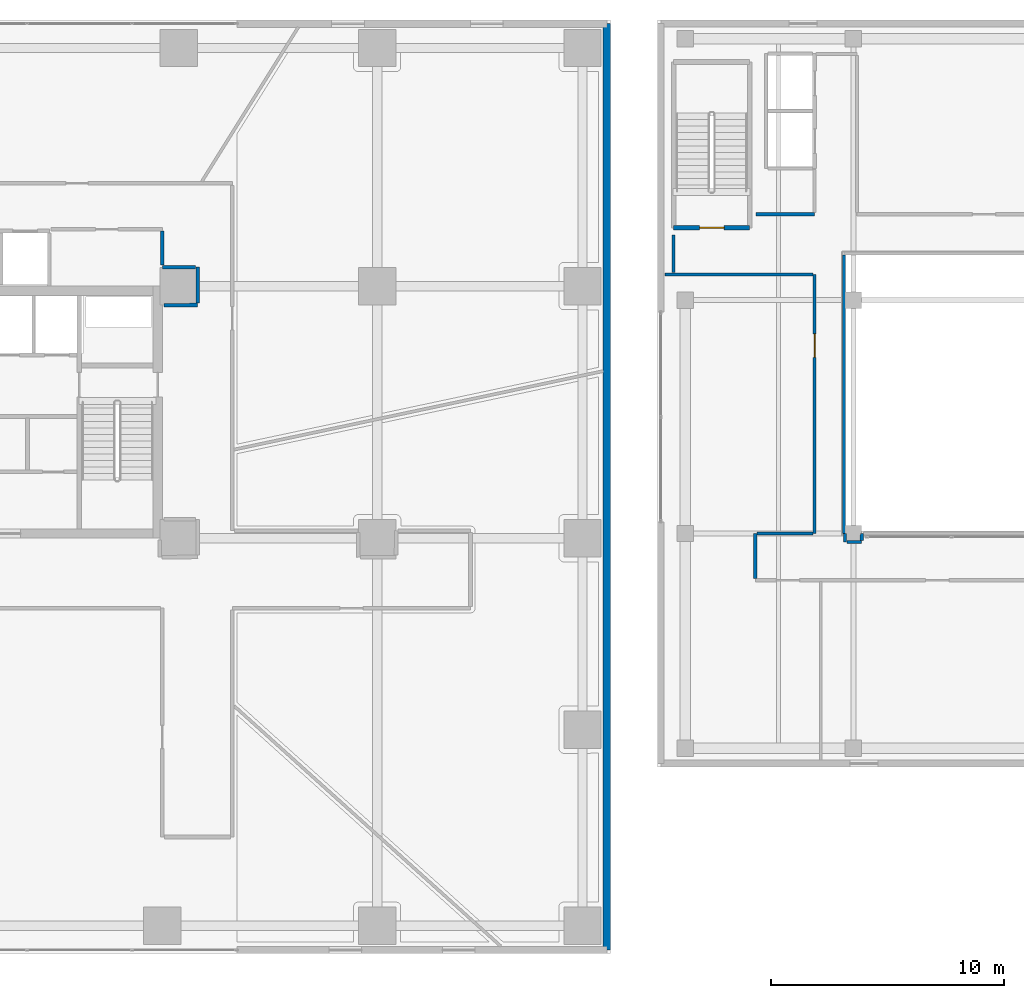
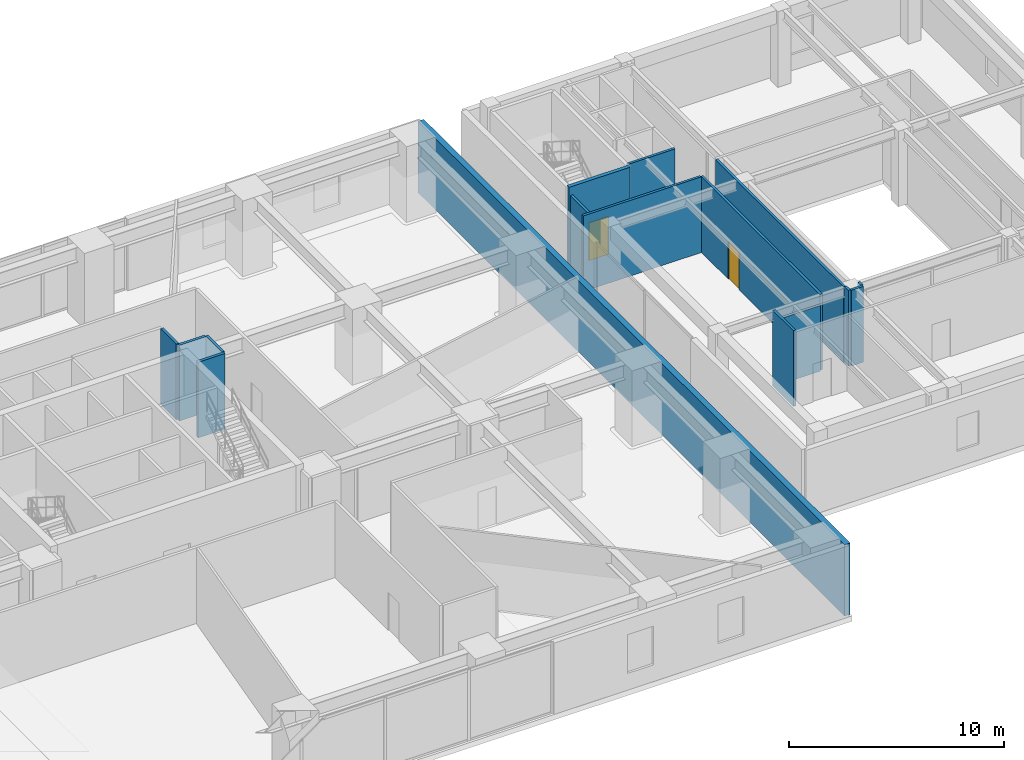
# One storey, part 18 of 24: 16 walls, 2 doors, 2 openings.
"""IFC4 building model written with IfcOpenShell, lengths in metres."""

import ifcopenshell
import ifcopenshell.guid

model = None  # the IFC model being written
_history = None  # IfcOwnerHistory: only IFC2X3 demands one
_inside = {}  # id of a spatial element -> (the spatial element, [elements in it])
_under = {}  # id of a project, library or spatial element -> (it, [spatial elements below it])
_declared = {}  # id of a project -> (the project, [libraries it declares])
_typed = {}  # id of a type object -> (the type object, [elements of that type])
_made_of = {}  # id of a material, layer set ... -> (it, [elements and type objects made of it])


def new_model(schema):
    """Start an empty IFC model of exactly this schema.

    Asked for "IFC4X3", IfcOpenShell would pick the latest addendum, in which some entities
    have other attributes; the version numbers below select the first issue.
    IFC2X3 requires an IfcOwnerHistory on every rooted entity: one is made here for all.
    """
    global model, _history
    if schema == "IFC4X3":
        model = ifcopenshell.file(schema_version=(4, 3, 0, 0))
    else:
        model = ifcopenshell.file(schema=schema)
    _inside.clear()
    _under.clear()
    _declared.clear()
    _typed.clear()
    _made_of.clear()
    _history = None
    if model.schema == "IFC2X3":
        org = make("IfcOrganization", Name="unknown")
        user = make(
            "IfcPersonAndOrganization",
            ThePerson=make("IfcPerson", FamilyName="unknown"),
            TheOrganization=org,
        )
        app = make(
            "IfcApplication",
            ApplicationDeveloper=org,
            Version="unknown",
            ApplicationFullName="unknown",
            ApplicationIdentifier="unknown",
        )
        _history = make(
            "IfcOwnerHistory",
            OwningUser=user,
            OwningApplication=app,
            ChangeAction="ADDED",
            CreationDate=0,
        )
    return model


def make(cls, **values):
    """One entity of the class cls with the attributes given. An attribute that is None is left unset."""
    return model.create_entity(
        cls, **{name: value for name, value in values.items() if value is not None}
    )


def rooted(cls, **values):
    """An entity with a GlobalId (a new one), such as an element, a storey or a relation."""
    return make(cls, GlobalId=ifcopenshell.guid.new(), OwnerHistory=_history, **values)


def si_unit(unit_type, name, prefix=None):
    """IfcSIUnit, for example si_unit("LENGTHUNIT", "METRE", prefix="MILLI")."""
    return make("IfcSIUnit", UnitType=unit_type, Prefix=prefix, Name=name)


def assignment(units):
    """IfcUnitAssignment: the units of a project."""
    return None if units is None else make("IfcUnitAssignment", Units=units)


def point(xyz):
    """IfcCartesianPoint."""
    return None if xyz is None else make("IfcCartesianPoint", Coordinates=xyz)


def direction(xyz):
    """IfcDirection."""
    return None if xyz is None else make("IfcDirection", DirectionRatios=xyz)


def frame(location, z_axis=None, x_axis=None):
    """IfcAxis2Placement3D, a coordinate frame: its origin and axes. An axis left out is left unset."""
    return make(
        "IfcAxis2Placement3D",
        Location=point(location),
        Axis=direction(z_axis),
        RefDirection=direction(x_axis),
    )


def frame_2d(location, x_axis=None):
    """IfcAxis2Placement2D, a coordinate frame in the plane: its origin and x axis."""
    return make(
        "IfcAxis2Placement2D", Location=point(location), RefDirection=direction(x_axis)
    )


def origin():
    """The frame at (0, 0, 0) with its axes left unset."""
    return frame((0.0, 0.0, 0.0))


def place(relative_to, where):
    """IfcLocalPlacement: puts the frame where relative to a parent placement (None: the world)."""
    return make(
        "IfcLocalPlacement", PlacementRelTo=relative_to, RelativePlacement=where
    )


def context(
    kind, dimensions, precision=None, world=None, true_north=None, identifier=None
):
    """IfcGeometricRepresentationContext, for example the 3D "Model" context."""
    return make(
        "IfcGeometricRepresentationContext",
        ContextIdentifier=identifier,
        ContextType=kind,
        CoordinateSpaceDimension=dimensions,
        Precision=precision,
        WorldCoordinateSystem=world,
        TrueNorth=true_north,
    )


def subcontext(parent, identifier, kind, view, scale=None):
    """IfcGeometricRepresentationSubContext, for example "Body" below "Model"."""
    return make(
        "IfcGeometricRepresentationSubContext",
        ContextIdentifier=identifier,
        ContextType=kind,
        ParentContext=parent,
        TargetScale=scale,
        TargetView=view,
    )


def project(units=None, contexts=None):
    """IfcProject with its units and contexts."""
    return rooted(
        "IfcProject",
        Name="project",
        RepresentationContexts=contexts,
        UnitsInContext=assignment(units),
    )


def spatial(cls, under=None, at=None, **own):
    """A site, building, storey or space (cls), placed at a placement, below another one or the project."""
    s = rooted(cls, ObjectPlacement=at, **own)
    if under is not None:
        _under.setdefault(under.id(), (under, []))[1].append(s)
    return s


def profile(cls, at=None, kind="AREA", **sizes):
    """A parametric profile (cls). Its sizes go by their IFC names, for example OverallWidth=200.0."""
    return make(cls, ProfileType=kind, Position=at, **sizes)


def rectangle(**sizes):
    """IfcRectangleProfileDef."""
    return profile("IfcRectangleProfileDef", **sizes)


def extrude(swept, where, along, depth):
    """IfcExtrudedAreaSolid: the profile swept, set in the frame where, extruded along a direction by depth."""
    return make(
        "IfcExtrudedAreaSolid",
        SweptArea=swept,
        Position=where,
        ExtrudedDirection=direction(along),
        Depth=depth,
    )


def shape(context_of_items, identifier, shape_type, items):
    """IfcShapeRepresentation: the items that make up one representation, for example the "Body"."""
    return make(
        "IfcShapeRepresentation",
        ContextOfItems=context_of_items,
        RepresentationIdentifier=identifier,
        RepresentationType=shape_type,
        Items=items,
    )


def source(mapping_origin, context_of_items, identifier, shape_type, items):
    """IfcRepresentationMap: a shape defined once, which mapped items show again and again."""
    return make(
        "IfcRepresentationMap",
        MappingOrigin=mapping_origin,
        MappedRepresentation=shape(context_of_items, identifier, shape_type, items),
    )


def transform(
    local_origin,
    x_axis=None,
    y_axis=None,
    z_axis=None,
    scale=None,
    scale2=None,
    scale3=None,
    uniform=True,
):
    """IfcCartesianTransformationOperator3D, or its non-uniform kind. x_axis, y_axis, z_axis: its Axis1, 2, 3."""
    if uniform:
        return make(
            "IfcCartesianTransformationOperator3D",
            Axis1=direction(x_axis),
            Axis2=direction(y_axis),
            LocalOrigin=point(local_origin),
            Scale=scale,
            Axis3=direction(z_axis),
        )
    return make(
        "IfcCartesianTransformationOperator3DnonUniform",
        Axis1=direction(x_axis),
        Axis2=direction(y_axis),
        LocalOrigin=point(local_origin),
        Scale=scale,
        Axis3=direction(z_axis),
        Scale2=scale2,
        Scale3=scale3,
    )


def mapped(mapping_source, mapping_target):
    """IfcMappedItem: shows the shape of a source again, moved by a transform."""
    return make(
        "IfcMappedItem", MappingSource=mapping_source, MappingTarget=mapping_target
    )


def material(Name=None, Category=None):
    """IfcMaterial."""
    return make("IfcMaterial", Name=Name, Category=Category)


def layer(
    of_material, thickness, ventilated=None, Name=None, Category=None, Priority=None
):
    """IfcMaterialLayer: one layer of a wall or slab, of a material (None: an air gap)."""
    return make(
        "IfcMaterialLayer",
        Material=of_material,
        LayerThickness=thickness,
        IsVentilated=ventilated,
        Name=Name,
        Category=Category,
        Priority=Priority,
    )


def layer_set(layers, Name=None):
    """IfcMaterialLayerSet."""
    return make("IfcMaterialLayerSet", MaterialLayers=layers, LayerSetName=Name)


def made_of(thing, what):
    """Note that an element or type object is made of a material, layer set ...; save() writes the relation."""
    if what is not None:
        _made_of.setdefault(what.id(), (what, []))[1].append(thing)
    return thing


def type_object(cls, material=None, **own):
    """A type object (cls), such as IfcWallType, which elements share."""
    return made_of(rooted(cls, **own), material)


def type_shapes(of_type, sources):
    """Give a type object the sources (RepresentationMaps) that its elements show as mapped items."""
    of_type.RepresentationMaps = sources


def element(
    cls,
    number,
    at=None,
    inside=None,
    cuts=None,
    type_object=None,
    material=None,
    context=None,
    identifier="Body",
    shape_type=None,
    held_by="IfcProductDefinitionShape",
    body=None,
    shapes=None,
    **own,
):
    """One element of the class cls, such as IfcWall. Its Tag is "e" and its number.

    at: its placement. inside: the storey or other place that contains it. cuts: it is an
    opening in that element (IfcRelVoidsElement). A single representation is given by context,
    identifier, shape_type and body (its items); several are given by shapes. held_by: the class
    of the entity that holds the representations. save() writes the other relations.
    """
    e = rooted(cls, Tag="e%d" % number, ObjectPlacement=at, **own)
    if body is not None:
        shapes = [shape(context, identifier, shape_type, body)]
    if shapes is not None:
        e.Representation = make(held_by, Representations=shapes)
    if inside is not None:
        _inside.setdefault(inside.id(), (inside, []))[1].append(e)
    if cuts is not None:
        rooted(
            "IfcRelVoidsElement", RelatingBuildingElement=cuts, RelatedOpeningElement=e
        )
    if type_object is not None:
        _typed.setdefault(type_object.id(), (type_object, []))[1].append(e)
    return made_of(e, material)


def fill(opening, filler):
    """IfcRelFillsElement: the door or window that sits in an opening."""
    return rooted(
        "IfcRelFillsElement",
        RelatingOpeningElement=opening,
        RelatedBuildingElement=filler,
    )


def aggregate(whole, parts):
    """IfcRelAggregates: a whole, such as a stair, and the parts it consists of."""
    return rooted("IfcRelAggregates", RelatingObject=whole, RelatedObjects=parts)


def save(model, path):
    """Write the relations noted so far, then the file.

    IfcRelAggregates (storeys below a building ...), IfcRelContainedInSpatialStructure (elements
    in a storey), IfcRelDefinesByType, IfcRelAssociatesMaterial and IfcRelDeclares: one each for
    every whole, place, type object, material and project.
    """
    for whole, parts in _under.values():
        aggregate(whole, parts)
    for where, things in _inside.values():
        rooted(
            "IfcRelContainedInSpatialStructure",
            RelatedElements=things,
            RelatingStructure=where,
        )
    for kind, things in _typed.values():
        rooted("IfcRelDefinesByType", RelatedObjects=things, RelatingType=kind)
    for what, things in _made_of.values():
        rooted("IfcRelAssociatesMaterial", RelatedObjects=things, RelatingMaterial=what)
    for by, libraries in _declared.values():
        rooted("IfcRelDeclares", RelatingContext=by, RelatedDefinitions=libraries)
    model.write(path)


model = new_model("IFC4")

# Units and contexts
model_context = context("Model", 3, precision=1e-05, world=origin(), true_north=direction((0.0, 1.0)))
body_context = subcontext(model_context, "Body", "Model", "MODEL_VIEW")
ifc_project = project(units=[si_unit("LENGTHUNIT", "METRE"), si_unit("AREAUNIT", "SQUARE_METRE"), si_unit("VOLUMEUNIT", "CUBIC_METRE"), si_unit("PLANEANGLEUNIT", "RADIAN"), si_unit("MASSUNIT", "GRAM", prefix="KILO")], contexts=[model_context])

# Site, building, storey
site_placement = place(None, origin())
site = spatial("IfcSite", under=ifc_project, at=site_placement, CompositionType="ELEMENT")
building_placement = place(site_placement, origin())
building = spatial("IfcBuilding", under=site, at=building_placement, Name="Talar Marvaseh", CompositionType="ELEMENT")
storey_placement = place(building_placement, frame((0.0, 0.0, 9.800048828125)))
storey = spatial("IfcBuildingStorey", under=building, at=storey_placement, Name="L02", CompositionType="ELEMENT", Elevation=9.800048828125)

# Walls
ifc_material_1 = material(Name="Precast concrete C45/55", Category="concrete")
ifc_layer_1 = layer(ifc_material_1, 0.31005859375)
ifc_layer_set_1 = layer_set([ifc_layer_1], Name="Precast concrete C45/55")
wall_type_1 = type_object("IfcWallType", Name="Architectural Precast Limestone Podium Facade Wall 310", PredefinedType="SOLIDWALL", material=ifc_layer_set_1)
wall_1_placement = place(storey_placement, frame((51.840087890625, 47.840087890625, 0.0), z_axis=(0.0, 0.0, 1.0), x_axis=(0.0, -1.0, 0.0)))
element("IfcWall", 1, at=wall_1_placement, inside=storey, type_object=wall_type_1, Name="L02 Podium East Facade Wall", PredefinedType="SOLIDWALL", context=body_context, shape_type="SweptSolid", body=[
    extrude(rectangle(XDim=39.68017578125, YDim=0.31005859375, at=frame_2d((19.840087890625, 0.0))), origin(), (0.0, 0.0, 1.0), 4.050048828125),
])
ifc_material_2 = material(Name="Gypsum Board Partition Assembly")
ifc_layer_2 = layer(ifc_material_2, 0.155029296875)
ifc_layer_set_2 = layer_set([ifc_layer_2], Name="Gypsum Board Partition Assembly")
wall_type_2 = type_object("IfcWallType", Name="Corridor Fire-Rated Acoustic Partition 155", PredefinedType="PARTITIONING", material=ifc_layer_set_2)
wall_2_placement = place(storey_placement, frame((32.8701171875, 35.78515625, 0.0), z_axis=(0.0, 0.0, 1.0), x_axis=(0.99999584892, 0.002881343971, 0.0)))
element("IfcWall", 2, at=wall_2_placement, inside=storey, type_object=wall_type_2, Name="L02 Interior Partition Wall", PredefinedType="PARTITIONING", context=body_context, shape_type="SweptSolid", body=[
    extrude(rectangle(XDim=1.4404296875, YDim=0.155029296875, at=frame_2d((0.72021484375, 0.0))), origin(), (0.0, 0.0, 1.0), 4.300048828125),
])
wall_3_placement = place(storey_placement, frame((34.310791015625, 35.872802734375, 0.0), z_axis=(0.0, 0.0, 1.0), x_axis=(0.000476644369, 0.999999886405, 0.0)))
element("IfcWall", 3, at=wall_3_placement, inside=storey, type_object=wall_type_2, Name="L02 Interior Partition Wall", PredefinedType="PARTITIONING", context=body_context, shape_type="SweptSolid", body=[
    extrude(rectangle(XDim=1.53662109375, YDim=0.155029296875, at=frame_2d((0.768310546875, 0.0))), origin(), (0.0, 0.0, 1.0), 4.300048828125),
])
wall_4_placement = place(storey_placement, frame((34.22802734375, 37.409912109375, 0.0), z_axis=(0.0, 0.0, 1.0), x_axis=(-0.999993554729, 0.003590334185, 0.0)))
element("IfcWall", 4, at=wall_4_placement, inside=storey, type_object=wall_type_2, Name="L02 Interior Partition Wall", PredefinedType="PARTITIONING", context=body_context, shape_type="SweptSolid", body=[
    extrude(rectangle(XDim=1.427978515625, YDim=0.155029296875, at=frame_2d((0.7138671875, 0.0))), origin(), (0.0, 0.0, 1.0), 4.300048828125),
])
wall_5_placement = place(storey_placement, frame((32.800048828125, 37.49853515625, 0.0), z_axis=(0.0, 0.0, 1.0), x_axis=(0.0, 1.0, 0.0)))
element("IfcWall", 5, at=wall_5_placement, inside=storey, type_object=wall_type_2, Name="L02 Interior Partition Wall", PredefinedType="PARTITIONING", context=body_context, shape_type="SweptSolid", body=[
    extrude(rectangle(XDim=1.4580078125, YDim=0.155029296875, at=frame_2d((0.72900390625, 0.0))), origin(), (0.0, 0.0, 1.0), 4.300048828125),
])

# Wall, opening, door
ifc_layer_3 = layer(ifc_material_2, 0.135009765625)
ifc_layer_set_3 = layer_set([ifc_layer_3], Name="Gypsum Board Partition Assembly")
wall_type_3 = type_object("IfcWallType", Name="Gallery High-Acoustic Partition 135", PredefinedType="PARTITIONING", material=ifc_layer_set_3)
wall_6_placement = place(storey_placement, frame((60.739990234375, 26.0, 0.0), z_axis=(0.0, 0.0, 1.0), x_axis=(0.0, 1.0, 0.0)))
wall_6 = element("IfcWall", 6, at=wall_6_placement, inside=storey, type_object=wall_type_3, Name="L02 Interior Partition Wall", PredefinedType="PARTITIONING", context=body_context, shape_type="SweptSolid", body=[
    extrude(rectangle(XDim=11.10009765625, YDim=0.135009765625, at=frame_2d((5.550048828125, 0.0))), origin(), (0.0, 0.0, 1.0), 4.300048828125),
])
opening_1_placement = place(wall_6_placement, frame((7.550048828125, 0.0, 0.0)))
opening_1 = element("IfcOpeningElement", 7, at=opening_1_placement, cuts=wall_6, Name="Opening DR-RM100", PredefinedType="OPENING", context=body_context, shape_type="SweptSolid", body=[
    extrude(rectangle(XDim=1.0, YDim=2.14990234375, at=frame_2d((0.5, 1.074951171875))), frame((0.0, 0.07763671875, 0.0), z_axis=(0.0, -1.0, 0.0), x_axis=(1.0, 0.0, 0.0)), (0.0, 0.0, 1.0), 0.155029296875),
])
ifc_material_3 = material(Name="Acoustic Engineered Oak Timber", Category="wood")
door_type_1 = type_object("IfcDoorType", Name="Corridor Fire-Rated Gallery Door 1000x2150", OperationType="NOTDEFINED", PredefinedType="DOOR", material=ifc_material_3)
shared_shape_1 = source(origin(), body_context, "Body", "SweptSolid", [
    extrude(rectangle(XDim=1.0, YDim=2.14990234375, at=frame_2d((0.5, 1.074951171875))), frame((0.0, 0.02490234375, 0.0), z_axis=(0.0, -1.0, 0.0), x_axis=(1.0, 0.0, 0.0)), (0.0, 0.0, 1.0), 0.050048828125),
])
type_shapes(door_type_1, [shared_shape_1])
door_1_placement = place(opening_1_placement, origin())
door_1 = element("IfcDoor", 8, at=door_1_placement, inside=storey, type_object=door_type_1, Name="L02 WC Market Public and Accessible Toilets Door", OperationType="SINGLE_SWING_LEFT", OverallHeight=2.14990234375, OverallWidth=1.0, PredefinedType="DOOR", context=body_context, shape_type="MappedRepresentation", body=[
    mapped(shared_shape_1, transform((0.0, 0.0, 0.0), x_axis=(1.0, 0.0, 0.0), y_axis=(0.0, 1.0, 0.0), z_axis=(0.0, 0.0, 1.0), scale=1.0)),
])
fill(opening_1, door_1)

# Walls
wall_7_placement = place(storey_placement, frame((58.219970703125, 39.679931640625, 0.0), z_axis=(0.0, 0.0, 1.0), x_axis=(1.0, 0.0, 0.0)))
element("IfcWall", 9, at=wall_7_placement, inside=storey, type_object=wall_type_3, Name="L02 Interior Partition Wall", PredefinedType="PARTITIONING", context=body_context, shape_type="SweptSolid", body=[
    extrude(rectangle(XDim=2.52001953125, YDim=0.135009765625, at=frame_2d((1.260009765625, 0.0))), origin(), (0.0, 0.0, 1.0), 4.300048828125),
])
wall_8_placement = place(storey_placement, frame((58.199951171875, 24.073486328125, 0.0), z_axis=(0.0, 0.0, 1.0), x_axis=(0.0, 1.0, 0.0)))
element("IfcWall", 10, at=wall_8_placement, inside=storey, type_object=wall_type_3, Name="L02 Interior Partition Wall", PredefinedType="PARTITIONING", context=body_context, shape_type="SweptSolid", body=[
    extrude(rectangle(XDim=1.926513671875, YDim=0.135009765625, at=frame_2d((0.96337890625, 0.0))), origin(), (0.0, 0.0, 1.0), 4.300048828125),
])
wall_9_placement = place(storey_placement, frame((58.2734375, 26.0, 0.0), z_axis=(0.0, 0.0, 1.0), x_axis=(1.0, 0.0, 0.0)))
element("IfcWall", 11, at=wall_9_placement, inside=storey, type_object=wall_type_3, Name="L02 Interior Partition Wall", PredefinedType="PARTITIONING", context=body_context, shape_type="SweptSolid", body=[
    extrude(rectangle(XDim=2.39306640625, YDim=0.135009765625, at=frame_2d((1.196533203125, 0.0))), origin(), (0.0, 0.0, 1.0), 3.73095703125),
])
wall_10_placement = place(storey_placement, frame((60.66650390625, 37.10009765625, 0.0), z_axis=(0.0, 0.0, 1.0), x_axis=(-1.0, 0.0, 0.0)))
element("IfcWall", 12, at=wall_10_placement, inside=storey, type_object=wall_type_3, Name="L02 Interior Partition Wall", PredefinedType="PARTITIONING", context=body_context, shape_type="SweptSolid", body=[
    extrude(rectangle(XDim=6.33642578125, YDim=0.135009765625, at=frame_2d((3.168212890625, 0.0))), origin(), (0.0, 0.0, 1.0), 4.300048828125),
])
wall_11_placement = place(storey_placement, frame((54.699951171875, 37.173583984375, 0.0), z_axis=(0.0, 0.0, 1.0), x_axis=(0.0, 1.0, 0.0)))
element("IfcWall", 13, at=wall_11_placement, inside=storey, type_object=wall_type_3, Name="L02 Interior Partition Wall", PredefinedType="PARTITIONING", context=body_context, shape_type="SweptSolid", body=[
    extrude(rectangle(XDim=1.6064453125, YDim=0.135009765625, at=frame_2d((0.80322265625, 0.0))), origin(), (0.0, 0.0, 1.0), 4.300048828125),
])
wall_12_placement = place(storey_placement, frame((62.034912109375, 26.0, 0.0), z_axis=(0.0, 0.0, 1.0), x_axis=(0.041435954546, -0.999141162034, 0.0)))
element("IfcWall", 14, at=wall_12_placement, inside=storey, type_object=wall_type_3, Name="L02 Interior Partition Wall", PredefinedType="PARTITIONING", context=body_context, shape_type="SweptSolid", body=[
    extrude(rectangle(XDim=0.365234375, YDim=0.135009765625, at=frame_2d((0.1826171875, 0.0))), origin(), (0.0, 0.0, 1.0), 4.300048828125),
])
wall_13_placement = place(storey_placement, frame((62.12353515625, 25.63525390625, 0.0), z_axis=(0.0, 0.0, 1.0), x_axis=(0.999997327018, 0.002312132548, 0.0)))
element("IfcWall", 15, at=wall_13_placement, inside=storey, type_object=wall_type_3, Name="L02 Interior Partition Wall", PredefinedType="PARTITIONING", context=body_context, shape_type="SweptSolid", body=[
    extrude(rectangle(XDim=0.633544921875, YDim=0.135009765625, at=frame_2d((0.31689453125, 0.0))), origin(), (0.0, 0.0, 1.0), 4.300048828125),
])
wall_14_placement = place(storey_placement, frame((62.7587890625, 25.710205078125, 0.0), z_axis=(0.0, 0.0, 1.0), x_axis=(0.021056829831, 0.999778280379, 0.0)))
element("IfcWall", 16, at=wall_14_placement, inside=storey, type_object=wall_type_3, Name="L02 Interior Partition Wall", PredefinedType="PARTITIONING", context=body_context, shape_type="SweptSolid", body=[
    extrude(rectangle(XDim=0.289794921875, YDim=0.135009765625, at=frame_2d((0.14501953125, 0.0))), origin(), (0.0, 0.0, 1.0), 4.300048828125),
])
wall_15_placement = place(storey_placement, frame((62.0, 37.926513671875, 0.0), z_axis=(0.0, 0.0, 1.0), x_axis=(0.0, -1.0, 0.0)))
element("IfcWall", 17, at=wall_15_placement, inside=storey, type_object=wall_type_3, Name="L02 Interior Partition Wall", PredefinedType="PARTITIONING", context=body_context, shape_type="SweptSolid", body=[
    extrude(rectangle(XDim=11.926513671875, YDim=0.135009765625, at=frame_2d((5.96337890625, 0.0))), origin(), (0.0, 0.0, 1.0), 4.300048828125),
])

# Wall, opening, door
ifc_material_4 = material(Name="Concrete C50/60", Category="concrete")
ifc_layer_4 = layer(ifc_material_4, 0.199951171875)
ifc_layer_set_4 = layer_set([ifc_layer_4], Name="Concrete C50/60")
wall_type_4 = type_object("IfcWallType", Name="Stair Shaft Structural Concrete Shear Wall 200", PredefinedType="SHEAR", material=ifc_layer_set_4)
wall_16_placement = place(storey_placement, frame((57.9599609375, 39.10009765625, 0.0), z_axis=(0.0, 0.0, 1.0), x_axis=(-1.0, 0.0, 0.0)))
wall_16 = element("IfcWall", 18, at=wall_16_placement, inside=storey, type_object=wall_type_4, Name="L02 MH-ST1 South Shear Wall", PredefinedType="SHEAR", context=body_context, shape_type="SweptSolid", body=[
    extrude(rectangle(XDim=3.260009765625, YDim=0.199951171875, at=frame_2d((1.6298828125, 0.0))), origin(), (0.0, 0.0, 1.0), 4.599853515625),
])
opening_2_placement = place(wall_16_placement, frame((1.10009765625, 0.0, 0.0)))
opening_2 = element("IfcOpeningElement", 19, at=opening_2_placement, cuts=wall_16, Name="Opening DR-ST105", PredefinedType="OPENING", context=body_context, shape_type="SweptSolid", body=[
    extrude(rectangle(XDim=1.050048828125, YDim=2.14990234375, at=frame_2d((0.52490234375, 1.074951171875))), frame((0.0, 0.10986328125, 0.0), z_axis=(0.0, -1.0, 0.0), x_axis=(1.0, 0.0, 0.0)), (0.0, 0.0, 1.0), 0.219970703125),
])
ifc_material_5 = material(Name="Fire-Rated Steel Door Leaf", Category="steel")
door_type_2 = type_object("IfcDoorType", Name="Protected Exit Stair Fire Door 1050x2150", OperationType="NOTDEFINED", PredefinedType="DOOR", material=ifc_material_5)
shared_shape_2 = source(origin(), body_context, "Body", "SweptSolid", [
    extrude(rectangle(XDim=1.050048828125, YDim=2.14990234375, at=frame_2d((0.52490234375, 1.074951171875))), frame((0.0, 0.02490234375, 0.0), z_axis=(0.0, -1.0, 0.0), x_axis=(1.0, 0.0, 0.0)), (0.0, 0.0, 1.0), 0.050048828125),
])
type_shapes(door_type_2, [shared_shape_2])
door_2_placement = place(opening_2_placement, origin())
door_2 = element("IfcDoor", 20, at=door_2_placement, inside=storey, type_object=door_type_2, Name="L02 MH-ST1 Exit Door", OperationType="SINGLE_SWING_LEFT", OverallHeight=2.14990234375, OverallWidth=1.050048828125, PredefinedType="DOOR", context=body_context, shape_type="MappedRepresentation", body=[
    mapped(shared_shape_2, transform((0.0, 0.0, 0.0), x_axis=(1.0, 0.0, 0.0), y_axis=(0.0, 1.0, 0.0), z_axis=(0.0, 0.0, 1.0), scale=1.0)),
])
fill(opening_2, door_2)

save(model, "model.ifc")
